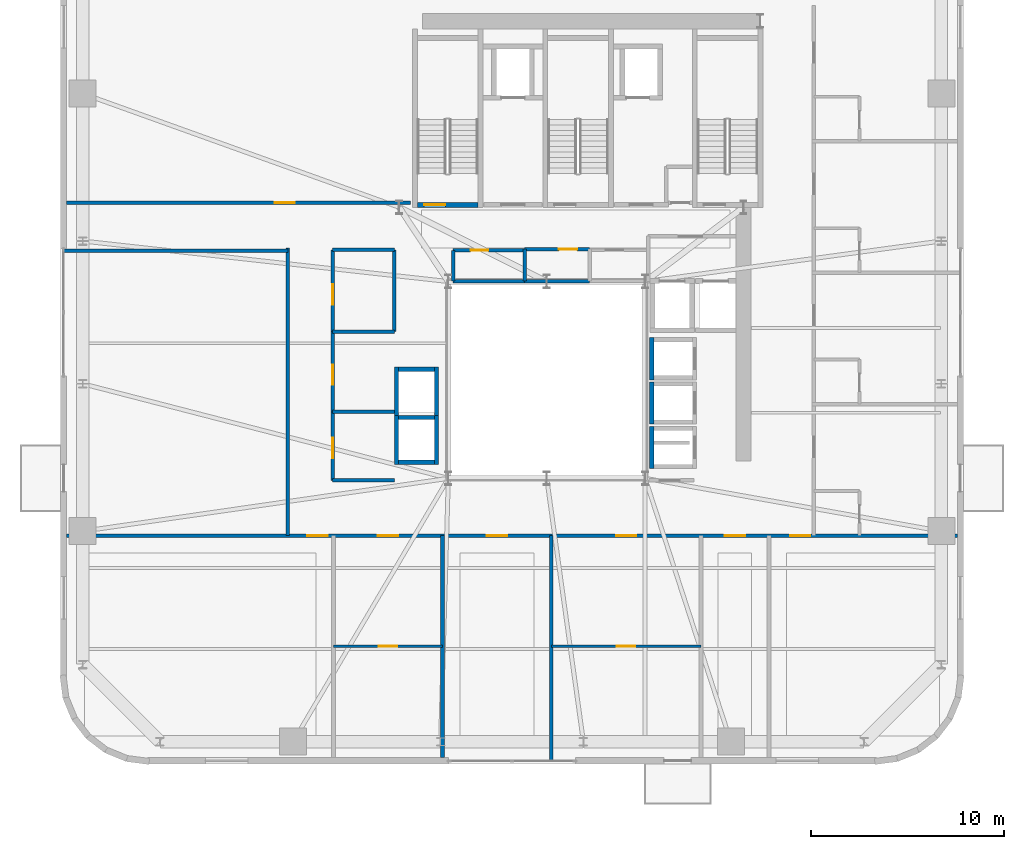
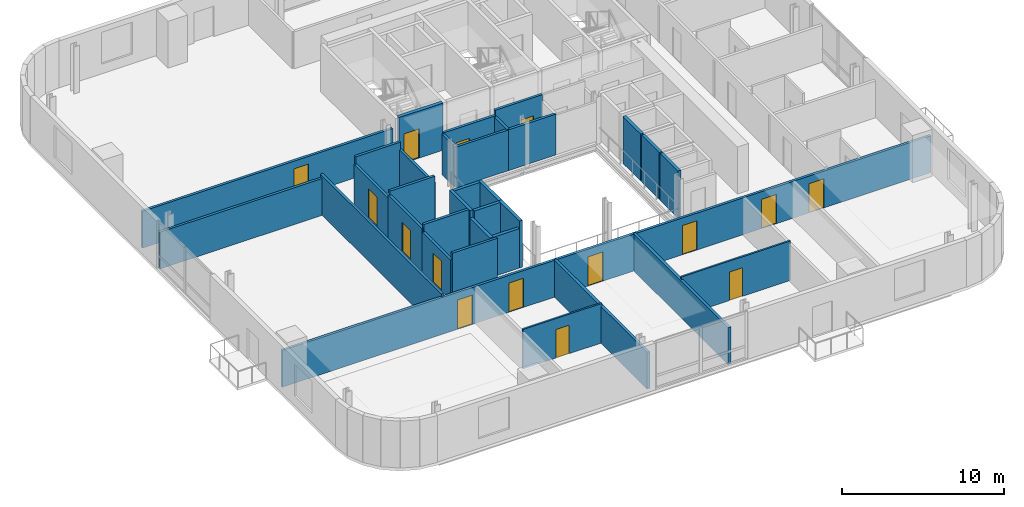
# One storey, part 8 of 15: 33 walls, 15 doors, 15 openings.
"""IFC4 building model written with IfcOpenShell, lengths in metres."""

from ifc_helpers import new_model, si_unit, direction, frame, frame_2d, origin, place, context, subcontext, project, spatial, rectangle, extrude, source, transform, mapped, material, layer, layer_set, type_object, element, fill, save


model = new_model("IFC4")

# Units and contexts
model_context = context("Model", 3, precision=1e-05, world=origin(), true_north=direction((0.0, 1.0)))
body_context = subcontext(model_context, "Body", "Model", "MODEL_VIEW")
ifc_project = project(units=[si_unit("LENGTHUNIT", "METRE"), si_unit("AREAUNIT", "SQUARE_METRE"), si_unit("VOLUMEUNIT", "CUBIC_METRE"), si_unit("PLANEANGLEUNIT", "RADIAN"), si_unit("MASSUNIT", "GRAM", prefix="KILO")], contexts=[model_context])

# Site, building, storey
site_placement = place(None, origin())
site = spatial("IfcSite", under=ifc_project, at=site_placement, CompositionType="ELEMENT")
building_placement = place(site_placement, origin())
building = spatial("IfcBuilding", under=site, at=building_placement, Name="Vardaveli Station Tower", CompositionType="ELEMENT")
storey_placement = place(building_placement, frame((0.0, 0.0, 229.800048828125)))
storey = spatial("IfcBuildingStorey", under=building, at=storey_placement, Name="L59", CompositionType="ELEMENT", Elevation=229.800048828125)

# Wall, opening, door
ifc_material_1 = material(Name="Concrete C40/50", Category="concrete")
ifc_layer_1 = layer(ifc_material_1, 0.25, Name="Concrete C40/50")
ifc_layer_set_1 = layer_set([ifc_layer_1], Name="Concrete C40/50")
wall_type_1 = type_object("IfcWallType", Name="WAL-SHAFT-250", PredefinedType="SOLIDWALL", material=ifc_layer_set_1)
shared_shape_1 = source(origin(), body_context, "Body", "SweptSolid", [
    extrude(rectangle(XDim=3.14990234375, YDim=0.25, at=frame_2d((1.574951171875, 0.0))), origin(), (0.0, 0.0, 1.0), 3.550048828125),
])
wall_1_placement = place(storey_placement, frame((29.60009765625, 30.77490234375, 0.0), z_axis=(0.0, 0.0, 1.0), x_axis=(1.0, 0.0, 0.0)))
wall_1 = element("IfcWall", 1, at=wall_1_placement, inside=storey, type_object=wall_type_1, Name="W-L59-ST-1S", PredefinedType="SOLIDWALL", context=body_context, shape_type="MappedRepresentation", body=[
    mapped(shared_shape_1, transform((0.0, 0.0, 0.0), scale=1.0)),
])
shared_shape_2 = source(origin(), body_context, "Body", "SweptSolid", [
    extrude(rectangle(XDim=1.10009765625, YDim=2.199951171875, at=frame_2d((0.550048828125, 1.10009765625))), frame((0.0, 0.135009765625, 0.0), z_axis=(0.0, -1.0, 0.0), x_axis=(1.0, 0.0, 0.0)), (0.0, 0.0, 1.0), 0.27001953125),
])
opening_1_placement = place(wall_1_placement, frame((0.35009765625, 0.0, 0.0)))
opening_1 = element("IfcOpeningElement", 2, at=opening_1_placement, cuts=wall_1, Name="Opening D-04", PredefinedType="OPENING", context=body_context, shape_type="MappedRepresentation", body=[
    mapped(shared_shape_2, transform((0.0, 0.0, 0.0), scale=1.0)),
])
ifc_material_2 = material(Name="Steel smokeproof fire doorset", Category="steel")
door_type_1 = type_object("IfcDoorType", Name="DR-ST-1100x2200", OperationType="NOTDEFINED", PredefinedType="DOOR", material=ifc_material_2)
shared_shape_3 = source(origin(), body_context, "Body", "SweptSolid", [
    extrude(rectangle(XDim=1.10009765625, YDim=2.199951171875, at=frame_2d((0.550048828125, 1.10009765625))), frame((0.0, 0.02490234375, 0.0), z_axis=(0.0, -1.0, 0.0), x_axis=(1.0, 0.0, 0.0)), (0.0, 0.0, 1.0), 0.050048828125),
])
door_1_placement = place(opening_1_placement, origin())
door_1 = element("IfcDoor", 3, at=door_1_placement, inside=storey, type_object=door_type_1, Name="DST-1-L59", OperationType="SINGLE_SWING_LEFT", OverallHeight=2.199951171875, OverallWidth=1.10009765625, PredefinedType="DOOR", context=body_context, shape_type="MappedRepresentation", body=[
    mapped(shared_shape_3, transform((0.0, 0.0, 0.0), scale=1.0)),
])
fill(opening_1, door_1)

# Walls
ifc_layer_2 = layer(ifc_material_1, 0.219970703125, Name="Concrete C40/50")
ifc_layer_set_2 = layer_set([ifc_layer_2], Name="Concrete C40/50")
wall_type_2 = type_object("IfcWallType", Name="WAL-FFLOBBY-220", PredefinedType="SOLIDWALL", material=ifc_layer_set_2)
shared_shape_4 = source(origin(), body_context, "Body", "SweptSolid", [
    extrude(rectangle(XDim=2.18994140625, YDim=0.219970703125, at=frame_2d((1.094970703125, 0.0))), origin(), (0.0, 0.0, 1.0), 3.530029296875),
])
for number, where, z_axis, x_axis, name in (
    (4, (41.739990234375, 21.705078125, 0.0), (0.0, 0.0, 1.0), (0.0, 1.0, 0.0), "SHW-HL3-01-L59-W"),
    (5, (41.739990234375, 19.405029296875, 0.0), (0.0, 0.0, 1.0), (0.0, 1.0, 0.0), "SHW-HL3-02-L59-W"),
    (6, (41.739990234375, 17.10498046875, 0.0), (0.0, 0.0, 1.0), (0.0, 1.0, 0.0), "SHW-HL3-03-L59-W"),
):
    element("IfcWall", number, at=place(storey_placement, frame(where, z_axis=z_axis, x_axis=x_axis)), inside=storey, type_object=wall_type_2, Name=name, PredefinedType="SOLIDWALL", context=body_context, shape_type="MappedRepresentation", body=[
        mapped(shared_shape_4, transform((0.0, 0.0, 0.0), scale=1.0)),
    ])
shared_shape_5 = source(origin(), body_context, "Body", "SweptSolid", [
    extrude(rectangle(XDim=1.85009765625, YDim=0.219970703125, at=frame_2d((0.925048828125, 0.0))), origin(), (0.0, 0.0, 1.0), 2.971923828125),
])
wall_2_placement = place(storey_placement, frame((28.625, 17.43994140625, 0.0), z_axis=(0.0, 0.0, 1.0), x_axis=(1.0, 0.0, 0.0)))
element("IfcWall", 7, at=wall_2_placement, inside=storey, type_object=wall_type_2, Name="SHW-OBS-01-L59-S", PredefinedType="SOLIDWALL", context=body_context, shape_type="MappedRepresentation", body=[
    mapped(shared_shape_5, transform((0.0, 0.0, 0.0), scale=1.0)),
])
shared_shape_6 = source(origin(), body_context, "Body", "SweptSolid", [
    extrude(rectangle(XDim=1.85009765625, YDim=0.219970703125, at=frame_2d((0.925048828125, 0.0))), origin(), (0.0, 0.0, 1.0), 3.530029296875),
])
for number, where, z_axis, x_axis, name in (
    (8, (28.625, 19.760009765625, 0.0), (0.0, 0.0, 1.0), (1.0, 0.0, 0.0), "SHW-OBS-01-L59-N"),
    (9, (28.625, 22.260009765625, 0.0), (0.0, 0.0, 1.0), (1.0, 0.0, 0.0), "SHW-OBS-02-L59-N"),
):
    element("IfcWall", number, at=place(storey_placement, frame(where, z_axis=z_axis, x_axis=x_axis)), inside=storey, type_object=wall_type_2, Name=name, PredefinedType="SOLIDWALL", context=body_context, shape_type="MappedRepresentation", body=[
        mapped(shared_shape_6, transform((0.0, 0.0, 0.0), scale=1.0)),
    ])
shared_shape_7 = source(origin(), body_context, "Body", "SweptSolid", [
    extrude(rectangle(XDim=2.5400390625, YDim=0.219970703125, at=frame_2d((1.27001953125, 0.0))), origin(), (0.0, 0.0, 1.0), 2.971923828125),
])
wall_3_placement = place(storey_placement, frame((28.514892578125, 17.330078125, 0.0), z_axis=(0.0, 0.0, 1.0), x_axis=(0.0, 1.0, 0.0)))
element("IfcWall", 10, at=wall_3_placement, inside=storey, type_object=wall_type_2, Name="SHW-OBS-01-L59-W", PredefinedType="SOLIDWALL", context=body_context, shape_type="MappedRepresentation", body=[
    mapped(shared_shape_7, transform((0.0, 0.0, 0.0), scale=1.0)),
])
shared_shape_8 = source(origin(), body_context, "Body", "SweptSolid", [
    extrude(rectangle(XDim=2.5400390625, YDim=0.219970703125, at=frame_2d((1.27001953125, 0.0))), origin(), (0.0, 0.0, 1.0), 3.530029296875),
])
for number, where, z_axis, x_axis, name in (
    (11, (30.5849609375, 17.330078125, 0.0), (0.0, 0.0, 1.0), (0.0, 1.0, 0.0), "SHW-OBS-01-L59-E"),
    (12, (28.514892578125, 19.830078125, 0.0), (0.0, 0.0, 1.0), (0.0, 1.0, 0.0), "SHW-OBS-02-L59-W"),
    (13, (30.5849609375, 19.830078125, 0.0), (0.0, 0.0, 1.0), (0.0, 1.0, 0.0), "SHW-OBS-02-L59-E"),
):
    element("IfcWall", number, at=place(storey_placement, frame(where, z_axis=z_axis, x_axis=x_axis)), inside=storey, type_object=wall_type_2, Name=name, PredefinedType="SOLIDWALL", context=body_context, shape_type="MappedRepresentation", body=[
        mapped(shared_shape_8, transform((0.0, 0.0, 0.0), scale=1.0)),
    ])

# Wall, openings, doors
ifc_material_3 = material(Name="Fire-rated gypsum stud partition")
ifc_layer_3 = layer(ifc_material_3, 0.179931640625, Name="Fire-rated gypsum stud partition")
ifc_layer_set_3 = layer_set([ifc_layer_3], Name="Fire-rated gypsum stud partition")
wall_type_3 = type_object("IfcWallType", Name="WAL-CORR-180", PredefinedType="PARTITIONING", material=ifc_layer_set_3)
shared_shape_9 = source(origin(), body_context, "Body", "SweptSolid", [
    extrude(rectangle(XDim=46.15576171875, YDim=0.179931640625, at=frame_2d((23.077880859375, 0.0))), origin(), (0.0, 0.0, 1.0), 2.77197265625),
])
wall_4_placement = place(storey_placement, frame((11.422119140625, 13.6298828125, 0.0), z_axis=(0.0, 0.0, 1.0), x_axis=(1.0, 0.0, 0.0)))
wall_4 = element("IfcWall", 14, at=wall_4_placement, inside=storey, type_object=wall_type_3, Name="W-L59-CS", PredefinedType="PARTITIONING", context=body_context, shape_type="MappedRepresentation", body=[
    mapped(shared_shape_9, transform((0.0, 0.0, 0.0), scale=1.0)),
])
shared_shape_10 = source(origin(), body_context, "Body", "SweptSolid", [
    extrude(rectangle(XDim=1.050048828125, YDim=2.199951171875, at=frame_2d((0.52490234375, 1.10009765625))), frame((0.0, 0.10009765625, 0.0), z_axis=(0.0, -1.0, 0.0), x_axis=(1.0, 0.0, 0.0)), (0.0, 0.0, 1.0), 0.199951171875),
])
opening_2_placement = place(wall_4_placement, frame((12.47802734375, 0.0, 0.0)))
opening_2 = element("IfcOpeningElement", 15, at=opening_2_placement, cuts=wall_4, Name="Opening D-05", PredefinedType="OPENING", context=body_context, shape_type="MappedRepresentation", body=[
    mapped(shared_shape_10, transform((0.0, 0.0, 0.0), scale=1.0)),
])
opening_3_placement = place(wall_4_placement, frame((16.12939453125, 0.0, 0.0)))
opening_3 = element("IfcOpeningElement", 16, at=opening_3_placement, cuts=wall_4, Name="Opening D-05", PredefinedType="OPENING", context=body_context, shape_type="MappedRepresentation", body=[
    mapped(shared_shape_10, transform((0.0, 0.0, 0.0), scale=1.0)),
])
opening_4_placement = place(wall_4_placement, frame((21.771728515625, 0.0, 0.0)))
opening_4 = element("IfcOpeningElement", 17, at=opening_4_placement, cuts=wall_4, Name="Opening D-05", PredefinedType="OPENING", context=body_context, shape_type="MappedRepresentation", body=[
    mapped(shared_shape_10, transform((0.0, 0.0, 0.0), scale=1.0)),
])
opening_5_placement = place(wall_4_placement, frame((28.47021484375, 0.0, 0.0)))
opening_5 = element("IfcOpeningElement", 18, at=opening_5_placement, cuts=wall_4, Name="Opening D-05", PredefinedType="OPENING", context=body_context, shape_type="MappedRepresentation", body=[
    mapped(shared_shape_10, transform((0.0, 0.0, 0.0), scale=1.0)),
])
opening_6_placement = place(wall_4_placement, frame((34.11279296875, 0.0, 0.0)))
opening_6 = element("IfcOpeningElement", 19, at=opening_6_placement, cuts=wall_4, Name="Opening D-05", PredefinedType="OPENING", context=body_context, shape_type="MappedRepresentation", body=[
    mapped(shared_shape_10, transform((0.0, 0.0, 0.0), scale=1.0)),
])
opening_7_placement = place(wall_4_placement, frame((37.498046875, 0.0, 0.0)))
opening_7 = element("IfcOpeningElement", 20, at=opening_7_placement, cuts=wall_4, Name="Opening D-05", PredefinedType="OPENING", context=body_context, shape_type="MappedRepresentation", body=[
    mapped(shared_shape_10, transform((0.0, 0.0, 0.0), scale=1.0)),
])
ifc_material_4 = material(Name="Walnut veneer acoustic fire door")
door_type_2 = type_object("IfcDoorType", Name="DR-SUITE-1050x2200", OperationType="NOTDEFINED", PredefinedType="DOOR", material=ifc_material_4)
shared_shape_11 = source(origin(), body_context, "Body", "SweptSolid", [
    extrude(rectangle(XDim=1.050048828125, YDim=2.199951171875, at=frame_2d((0.52490234375, 1.10009765625))), frame((0.0, 0.02490234375, 0.0), z_axis=(0.0, -1.0, 0.0), x_axis=(1.0, 0.0, 0.0)), (0.0, 0.0, 1.0), 0.050048828125),
])
door_2_placement = place(opening_2_placement, origin())
door_2 = element("IfcDoor", 21, at=door_2_placement, inside=storey, type_object=door_type_2, Name="D-L59-SA1", OperationType="SINGLE_SWING_RIGHT", OverallHeight=2.199951171875, OverallWidth=1.050048828125, PredefinedType="DOOR", context=body_context, shape_type="MappedRepresentation", body=[
    mapped(shared_shape_11, transform((0.0, 0.0, 0.0), scale=1.0)),
])
fill(opening_2, door_2)
door_3_placement = place(opening_3_placement, origin())
door_3 = element("IfcDoor", 22, at=door_3_placement, inside=storey, type_object=door_type_2, Name="D-L59-SCB2", OperationType="SINGLE_SWING_LEFT", OverallHeight=2.199951171875, OverallWidth=1.050048828125, PredefinedType="DOOR", context=body_context, shape_type="MappedRepresentation", body=[
    mapped(shared_shape_11, transform((0.0, 0.0, 0.0), scale=1.0)),
])
fill(opening_3, door_3)
door_4_placement = place(opening_4_placement, origin())
door_4 = element("IfcDoor", 23, at=door_4_placement, inside=storey, type_object=door_type_2, Name="D-L59-SA3", OperationType="SINGLE_SWING_RIGHT", OverallHeight=2.199951171875, OverallWidth=1.050048828125, PredefinedType="DOOR", context=body_context, shape_type="MappedRepresentation", body=[
    mapped(shared_shape_11, transform((0.0, 0.0, 0.0), scale=1.0)),
])
fill(opening_4, door_4)
door_5_placement = place(opening_5_placement, origin())
door_5 = element("IfcDoor", 24, at=door_5_placement, inside=storey, type_object=door_type_2, Name="D-L59-SCB4", OperationType="SINGLE_SWING_LEFT", OverallHeight=2.199951171875, OverallWidth=1.050048828125, PredefinedType="DOOR", context=body_context, shape_type="MappedRepresentation", body=[
    mapped(shared_shape_11, transform((0.0, 0.0, 0.0), scale=1.0)),
])
fill(opening_5, door_5)
door_6_placement = place(opening_6_placement, origin())
door_6 = element("IfcDoor", 25, at=door_6_placement, inside=storey, type_object=door_type_2, Name="D-L59-SA5", OperationType="SINGLE_SWING_RIGHT", OverallHeight=2.199951171875, OverallWidth=1.050048828125, PredefinedType="DOOR", context=body_context, shape_type="MappedRepresentation", body=[
    mapped(shared_shape_11, transform((0.0, 0.0, 0.0), scale=1.0)),
])
fill(opening_6, door_6)
door_7_placement = place(opening_7_placement, origin())
door_7 = element("IfcDoor", 26, at=door_7_placement, inside=storey, type_object=door_type_2, Name="D-L59-SA6", OperationType="SINGLE_SWING_LEFT", OverallHeight=2.199951171875, OverallWidth=1.050048828125, PredefinedType="DOOR", context=body_context, shape_type="MappedRepresentation", body=[
    mapped(shared_shape_11, transform((0.0, 0.0, 0.0), scale=1.0)),
])
fill(opening_7, door_7)

# Wall, opening, door
shared_shape_12 = source(origin(), body_context, "Body", "SweptSolid", [
    extrude(rectangle(XDim=17.827880859375, YDim=0.179931640625, at=frame_2d((8.9140625, 0.0))), origin(), (0.0, 0.0, 1.0), 2.77197265625),
])
wall_5_placement = place(storey_placement, frame((11.422119140625, 30.8798828125, 0.0), z_axis=(0.0, 0.0, 1.0), x_axis=(1.0, 0.0, 0.0)))
wall_5 = element("IfcWall", 27, at=wall_5_placement, inside=storey, type_object=wall_type_3, Name="W-L59-CNWS", PredefinedType="PARTITIONING", context=body_context, shape_type="MappedRepresentation", body=[
    mapped(shared_shape_12, transform((0.0, 0.0, 0.0), scale=1.0)),
])
opening_8_placement = place(wall_5_placement, frame((10.778076171875, 0.0, 0.0)))
opening_8 = element("IfcOpeningElement", 28, at=opening_8_placement, cuts=wall_5, Name="Opening D-05", PredefinedType="OPENING", context=body_context, shape_type="MappedRepresentation", body=[
    mapped(shared_shape_10, transform((0.0, 0.0, 0.0), scale=1.0)),
])
door_8_placement = place(opening_8_placement, origin())
door_8 = element("IfcDoor", 29, at=door_8_placement, inside=storey, type_object=door_type_2, Name="D-L59-GNW1", OperationType="SINGLE_SWING_LEFT", OverallHeight=2.199951171875, OverallWidth=1.050048828125, PredefinedType="DOOR", context=body_context, shape_type="MappedRepresentation", body=[
    mapped(shared_shape_11, transform((0.0, 0.0, 0.0), scale=1.0)),
])
fill(opening_8, door_8)

shared_shape_13 = source(origin(), body_context, "Body", "SweptSolid", [
    extrude(rectangle(XDim=4.239990234375, YDim=0.179931640625, at=frame_2d((2.1201171875, 0.0))), origin(), (0.0, 0.0, 1.0), 2.971923828125),
])
wall_6_placement = place(storey_placement, frame((25.199951171875, 24.199951171875, 0.0), z_axis=(0.0, 0.0, 1.0), x_axis=(0.0, 1.0, 0.0)))
wall_6 = element("IfcWall", 30, at=wall_6_placement, inside=storey, type_object=wall_type_3, Name="W-L59-ATWC-W", PredefinedType="PARTITIONING", context=body_context, shape_type="MappedRepresentation", body=[
    mapped(shared_shape_13, transform((0.0, 0.0, 0.0), scale=1.0)),
])
opening_9_placement = place(wall_6_placement, frame((1.39990234375, 0.0, 0.0)))
opening_9 = element("IfcOpeningElement", 31, at=opening_9_placement, cuts=wall_6, Name="Opening D-05", PredefinedType="OPENING", context=body_context, shape_type="MappedRepresentation", body=[
    mapped(shared_shape_10, transform((0.0, 0.0, 0.0), scale=1.0)),
])
door_9_placement = place(opening_9_placement, origin())
door_9 = element("IfcDoor", 32, at=door_9_placement, inside=storey, type_object=door_type_2, Name="D-L59-ATW3", OperationType="SINGLE_SWING_LEFT", OverallHeight=2.199951171875, OverallWidth=1.050048828125, PredefinedType="DOOR", context=body_context, shape_type="MappedRepresentation", body=[
    mapped(shared_shape_11, transform((0.0, 0.0, 0.0), scale=1.0)),
])
fill(opening_9, door_9)

# Wall
wall_7_placement = place(storey_placement, frame((28.39990234375, 24.199951171875, 0.0), z_axis=(0.0, 0.0, 1.0), x_axis=(0.0, 1.0, 0.0)))
element("IfcWall", 33, at=wall_7_placement, inside=storey, type_object=wall_type_3, Name="W-L59-ATWC-E", PredefinedType="PARTITIONING", context=body_context, shape_type="MappedRepresentation", body=[
    mapped(shared_shape_13, transform((0.0, 0.0, 0.0), scale=1.0)),
])

# Wall, opening, door
shared_shape_14 = source(origin(), body_context, "Body", "SweptSolid", [
    extrude(rectangle(XDim=3.699951171875, YDim=0.179931640625, at=frame_2d((1.85009765625, 0.0))), origin(), (0.0, 0.0, 1.0), 3.161865234375),
])
wall_8_placement = place(storey_placement, frame((31.449951171875, 28.419921875, 0.0), z_axis=(0.0, 0.0, 1.0), x_axis=(1.0, 0.0, 0.0)))
wall_8 = element("IfcWall", 34, at=wall_8_placement, inside=storey, type_object=wall_type_3, Name="W-L59-CS2A-N", PredefinedType="PARTITIONING", context=body_context, shape_type="MappedRepresentation", body=[
    mapped(shared_shape_14, transform((0.0, 0.0, 0.0), scale=1.0)),
])
shared_shape_15 = source(origin(), body_context, "Body", "SweptSolid", [
    extrude(rectangle(XDim=0.919921875, YDim=2.10009765625, at=frame_2d((0.4599609375, 1.050048828125))), frame((0.0, 0.10009765625, 0.0), z_axis=(0.0, -1.0, 0.0), x_axis=(1.0, 0.0, 0.0)), (0.0, 0.0, 1.0), 0.199951171875),
])
opening_10_placement = place(wall_8_placement, frame((0.89990234375, 0.0, 0.0)))
opening_10 = element("IfcOpeningElement", 35, at=opening_10_placement, cuts=wall_8, Name="Opening D-07", PredefinedType="OPENING", context=body_context, shape_type="MappedRepresentation", body=[
    mapped(shared_shape_15, transform((0.0, 0.0, 0.0), scale=1.0)),
])
ifc_material_5 = material(Name="Moisture-resistant hardwood door", Category="wood")
door_type_3 = type_object("IfcDoorType", Name="DR-WC-920x2100", OperationType="NOTDEFINED", PredefinedType="DOOR", material=ifc_material_5)
shared_shape_16 = source(origin(), body_context, "Body", "SweptSolid", [
    extrude(rectangle(XDim=0.919921875, YDim=2.10009765625, at=frame_2d((0.4599609375, 1.050048828125))), frame((0.0, 0.02490234375, 0.0), z_axis=(0.0, -1.0, 0.0), x_axis=(1.0, 0.0, 0.0)), (0.0, 0.0, 1.0), 0.050048828125),
])
door_10_placement = place(opening_10_placement, origin())
door_10 = element("IfcDoor", 36, at=door_10_placement, inside=storey, type_object=door_type_3, Name="D-L59-CS2A", OperationType="SINGLE_SWING_LEFT", OverallHeight=2.10009765625, OverallWidth=0.919921875, PredefinedType="DOOR", context=body_context, shape_type="MappedRepresentation", body=[
    mapped(shared_shape_16, transform((0.0, 0.0, 0.0), scale=1.0)),
])
fill(opening_10, door_10)

shared_shape_17 = source(origin(), body_context, "Body", "SweptSolid", [
    extrude(rectangle(XDim=3.550048828125, YDim=0.179931640625, at=frame_2d((1.77490234375, 0.0))), origin(), (0.0, 0.0, 1.0), 2.971923828125),
])
wall_9_placement = place(storey_placement, frame((25.199951171875, 16.5, 0.0), z_axis=(0.0, 0.0, 1.0), x_axis=(0.0, 1.0, 0.0)))
wall_9 = element("IfcWall", 37, at=wall_9_placement, inside=storey, type_object=wall_type_3, Name="W-L59-ATWA-W", PredefinedType="PARTITIONING", context=body_context, shape_type="MappedRepresentation", body=[
    mapped(shared_shape_17, transform((0.0, 0.0, 0.0), scale=1.0)),
])
opening_11_placement = place(wall_9_placement, frame((1.14990234375, 0.0, 0.0)))
opening_11 = element("IfcOpeningElement", 38, at=opening_11_placement, cuts=wall_9, Name="Opening D-05", PredefinedType="OPENING", context=body_context, shape_type="MappedRepresentation", body=[
    mapped(shared_shape_10, transform((0.0, 0.0, 0.0), scale=1.0)),
])
door_11_placement = place(opening_11_placement, origin())
door_11 = element("IfcDoor", 39, at=door_11_placement, inside=storey, type_object=door_type_2, Name="D-L59-ATW1", OperationType="SINGLE_SWING_RIGHT", OverallHeight=2.199951171875, OverallWidth=1.050048828125, PredefinedType="DOOR", context=body_context, shape_type="MappedRepresentation", body=[
    mapped(shared_shape_11, transform((0.0, 0.0, 0.0), scale=1.0)),
])
fill(opening_11, door_11)

shared_shape_18 = source(origin(), body_context, "Body", "SweptSolid", [
    extrude(rectangle(XDim=3.3701171875, YDim=0.179931640625, at=frame_2d((1.68505859375, 0.0))), origin(), (0.0, 0.0, 1.0), 3.530029296875),
])
wall_10_placement = place(storey_placement, frame((35.14990234375, 28.47998046875, 0.0), z_axis=(0.0, 0.0, 1.0), x_axis=(1.0, 0.0, 0.0)))
wall_10 = element("IfcWall", 40, at=wall_10_placement, inside=storey, type_object=wall_type_3, Name="W-L59-HKP2-N", PredefinedType="PARTITIONING", context=body_context, shape_type="MappedRepresentation", body=[
    mapped(shared_shape_18, transform((0.0, 0.0, 0.0), scale=1.0)),
])
shared_shape_19 = source(origin(), body_context, "Body", "SweptSolid", [
    extrude(rectangle(XDim=0.949951171875, YDim=2.14990234375, at=frame_2d((0.47509765625, 1.074951171875))), frame((0.0, 0.10009765625, 0.0), z_axis=(0.0, -1.0, 0.0), x_axis=(1.0, 0.0, 0.0)), (0.0, 0.0, 1.0), 0.199951171875),
])
opening_12_placement = place(wall_10_placement, frame((1.77490234375, 0.0, 0.0)))
opening_12 = element("IfcOpeningElement", 41, at=opening_12_placement, cuts=wall_10, Name="Opening D-06", PredefinedType="OPENING", context=body_context, shape_type="MappedRepresentation", body=[
    mapped(shared_shape_19, transform((0.0, 0.0, 0.0), scale=1.0)),
])
ifc_material_6 = material(Name="Oak veneer acoustic fire door")
door_type_4 = type_object("IfcDoorType", Name="DR-GUEST-950x2150", OperationType="NOTDEFINED", PredefinedType="DOOR", material=ifc_material_6)
shared_shape_20 = source(origin(), body_context, "Body", "SweptSolid", [
    extrude(rectangle(XDim=0.949951171875, YDim=2.14990234375, at=frame_2d((0.47509765625, 1.074951171875))), frame((0.0, 0.02490234375, 0.0), z_axis=(0.0, -1.0, 0.0), x_axis=(1.0, 0.0, 0.0)), (0.0, 0.0, 1.0), 0.050048828125),
])
door_12_placement = place(opening_12_placement, origin())
door_12 = element("IfcDoor", 42, at=door_12_placement, inside=storey, type_object=door_type_4, Name="D-L59-HKP", OperationType="SINGLE_SWING_LEFT", OverallHeight=2.14990234375, OverallWidth=0.949951171875, PredefinedType="DOOR", context=body_context, shape_type="MappedRepresentation", body=[
    mapped(shared_shape_20, transform((0.0, 0.0, 0.0), scale=1.0)),
])
fill(opening_12, door_12)

# Walls
shared_shape_21 = source(origin(), body_context, "Body", "SweptSolid", [
    extrude(rectangle(XDim=3.699951171875, YDim=0.179931640625, at=frame_2d((1.85009765625, 0.0))), origin(), (0.0, 0.0, 1.0), 3.072021484375),
])
wall_11_placement = place(storey_placement, frame((31.449951171875, 26.820068359375, 0.0), z_axis=(0.0, 0.0, 1.0), x_axis=(1.0, 0.0, 0.0)))
element("IfcWall", 43, at=wall_11_placement, inside=storey, type_object=wall_type_3, Name="W-L59-CS2A-S", PredefinedType="PARTITIONING", context=body_context, shape_type="MappedRepresentation", body=[
    mapped(shared_shape_21, transform((0.0, 0.0, 0.0), scale=1.0)),
])
shared_shape_22 = source(origin(), body_context, "Body", "SweptSolid", [
    extrude(rectangle(XDim=3.3701171875, YDim=0.179931640625, at=frame_2d((1.68505859375, 0.0))), origin(), (0.0, 0.0, 1.0), 3.072021484375),
])
wall_12_placement = place(storey_placement, frame((35.14990234375, 26.820068359375, 0.0), z_axis=(0.0, 0.0, 1.0), x_axis=(1.0, 0.0, 0.0)))
element("IfcWall", 44, at=wall_12_placement, inside=storey, type_object=wall_type_3, Name="W-L59-HKP2-S", PredefinedType="PARTITIONING", context=body_context, shape_type="MappedRepresentation", body=[
    mapped(shared_shape_22, transform((0.0, 0.0, 0.0), scale=1.0)),
])
shared_shape_23 = source(origin(), body_context, "Body", "SweptSolid", [
    extrude(rectangle(XDim=1.659912109375, YDim=0.179931640625, at=frame_2d((0.830078125, 0.0))), origin(), (0.0, 0.0, 1.0), 3.072021484375),
])
wall_13_placement = place(storey_placement, frame((35.14990234375, 26.820068359375, 0.0), z_axis=(0.0, 0.0, 1.0), x_axis=(0.0, 1.0, 0.0)))
element("IfcWall", 45, at=wall_13_placement, inside=storey, type_object=wall_type_3, Name="W-L59-HKP2-W", PredefinedType="PARTITIONING", context=body_context, shape_type="MappedRepresentation", body=[
    mapped(shared_shape_23, transform((0.0, 0.0, 0.0), scale=1.0)),
])
shared_shape_24 = source(origin(), body_context, "Body", "SweptSolid", [
    extrude(rectangle(XDim=1.599853515625, YDim=0.179931640625, at=frame_2d((0.7998046875, 0.0))), origin(), (0.0, 0.0, 1.0), 3.072021484375),
])
wall_14_placement = place(storey_placement, frame((31.449951171875, 26.820068359375, 0.0), z_axis=(0.0, 0.0, 1.0), x_axis=(0.0, 1.0, 0.0)))
element("IfcWall", 46, at=wall_14_placement, inside=storey, type_object=wall_type_3, Name="W-L59-CS2A-W", PredefinedType="PARTITIONING", context=body_context, shape_type="MappedRepresentation", body=[
    mapped(shared_shape_24, transform((0.0, 0.0, 0.0), scale=1.0)),
])
shared_shape_25 = source(origin(), body_context, "Body", "SweptSolid", [
    extrude(rectangle(XDim=14.920166015625, YDim=0.179931640625, at=frame_2d((7.4599609375, 0.0))), origin(), (0.0, 0.0, 1.0), 2.971923828125),
])
wall_15_placement = place(storey_placement, frame((22.8798828125, 13.6298828125, 0.0), z_axis=(0.0, 0.0, 1.0), x_axis=(0.0, 1.0, 0.0)))
element("IfcWall", 47, at=wall_15_placement, inside=storey, type_object=wall_type_3, Name="W-L59-CW", PredefinedType="PARTITIONING", context=body_context, shape_type="MappedRepresentation", body=[
    mapped(shared_shape_25, transform((0.0, 0.0, 0.0), scale=1.0)),
])
ifc_material_7 = material(Name="Acoustic twin-stud gypsum partition")
ifc_layer_4 = layer(ifc_material_7, 0.199951171875, Name="Acoustic twin-stud gypsum partition")
ifc_layer_set_4 = layer_set([ifc_layer_4], Name="Acoustic twin-stud gypsum partition")
wall_type_4 = type_object("IfcWallType", Name="WAL-PARTY-200", PredefinedType="PARTITIONING", material=ifc_layer_set_4)
shared_shape_26 = source(origin(), body_context, "Body", "SweptSolid", [
    extrude(rectangle(XDim=11.5078125, YDim=0.199951171875, at=frame_2d((5.75390625, 0.0))), origin(), (0.0, 0.0, 1.0), 2.77197265625),
])
wall_16_placement = place(storey_placement, frame((30.89208984375, 2.1220703125, 0.0), z_axis=(0.0, 0.0, 1.0), x_axis=(0.0, 1.0, 0.0)))
element("IfcWall", 48, at=wall_16_placement, inside=storey, type_object=wall_type_4, Name="W-L59-PS2", PredefinedType="PARTITIONING", context=body_context, shape_type="MappedRepresentation", body=[
    mapped(shared_shape_26, transform((0.0, 0.0, 0.0), scale=1.0)),
])
shared_shape_27 = source(origin(), body_context, "Body", "SweptSolid", [
    extrude(rectangle(XDim=11.699951171875, YDim=0.199951171875, at=frame_2d((5.85009765625, 0.0))), origin(), (0.0, 0.0, 1.0), 2.77197265625),
])
wall_17_placement = place(storey_placement, frame((36.534912109375, 1.929931640625, 0.0), z_axis=(0.0, 0.0, 1.0), x_axis=(0.0, 1.0, 0.0)))
element("IfcWall", 49, at=wall_17_placement, inside=storey, type_object=wall_type_4, Name="W-L59-PS3", PredefinedType="PARTITIONING", context=body_context, shape_type="MappedRepresentation", body=[
    mapped(shared_shape_27, transform((0.0, 0.0, 0.0), scale=1.0)),
])

# Wall, opening, door
shared_shape_28 = source(origin(), body_context, "Body", "SweptSolid", [
    extrude(rectangle(XDim=4.14990234375, YDim=0.179931640625, at=frame_2d((2.074951171875, 0.0))), origin(), (0.0, 0.0, 1.0), 3.221923828125),
])
wall_18_placement = place(storey_placement, frame((25.199951171875, 20.050048828125, 0.0), z_axis=(0.0, 0.0, 1.0), x_axis=(0.0, 1.0, 0.0)))
wall_18 = element("IfcWall", 50, at=wall_18_placement, inside=storey, type_object=wall_type_3, Name="W-L59-ATWB-W", PredefinedType="PARTITIONING", context=body_context, shape_type="MappedRepresentation", body=[
    mapped(shared_shape_28, transform((0.0, 0.0, 0.0), scale=1.0)),
])
opening_13_placement = place(wall_18_placement, frame((1.39990234375, 0.0, 0.0)))
opening_13 = element("IfcOpeningElement", 51, at=opening_13_placement, cuts=wall_18, Name="Opening D-05", PredefinedType="OPENING", context=body_context, shape_type="MappedRepresentation", body=[
    mapped(shared_shape_10, transform((0.0, 0.0, 0.0), scale=1.0)),
])
door_13_placement = place(opening_13_placement, origin())
door_13 = element("IfcDoor", 52, at=door_13_placement, inside=storey, type_object=door_type_2, Name="D-L59-ATW2", OperationType="SINGLE_SWING_RIGHT", OverallHeight=2.199951171875, OverallWidth=1.050048828125, PredefinedType="DOOR", context=body_context, shape_type="MappedRepresentation", body=[
    mapped(shared_shape_11, transform((0.0, 0.0, 0.0), scale=1.0)),
])
fill(opening_13, door_13)

# Walls
shared_shape_29 = source(origin(), body_context, "Body", "SweptSolid", [
    extrude(rectangle(XDim=11.64990234375, YDim=0.179931640625, at=frame_2d((5.824951171875, 0.0))), origin(), (0.0, 0.0, 1.0), 2.77197265625),
])
wall_19_placement = place(storey_placement, frame((11.22998046875, 28.39990234375, 0.0), z_axis=(0.0, 0.0, 1.0), x_axis=(1.0, 0.0, 0.0)))
element("IfcWall", 53, at=wall_19_placement, inside=storey, type_object=wall_type_3, Name="W-L59-CWN", PredefinedType="PARTITIONING", context=body_context, shape_type="MappedRepresentation", body=[
    mapped(shared_shape_29, transform((0.0, 0.0, 0.0), scale=1.0)),
])
shared_shape_30 = source(origin(), body_context, "Body", "SweptSolid", [
    extrude(rectangle(XDim=3.199951171875, YDim=0.179931640625, at=frame_2d((1.60009765625, 0.0))), origin(), (0.0, 0.0, 1.0), 3.530029296875),
])
for number, where, z_axis, x_axis, name in (
    (54, (25.199951171875, 16.5, 0.0), (0.0, 0.0, 1.0), (1.0, 0.0, 0.0), "W-L59-ATWA-S"),
    (55, (25.199951171875, 20.050048828125, 0.0), (0.0, 0.0, 1.0), (1.0, 0.0, 0.0), "W-L59-ATWA-N"),
    (56, (25.199951171875, 24.199951171875, 0.0), (0.0, 0.0, 1.0), (1.0, 0.0, 0.0), "W-L59-ATWB-N"),
    (57, (25.199951171875, 28.43994140625, 0.0), (0.0, 0.0, 1.0), (1.0, 0.0, 0.0), "W-L59-ATWC-N"),
):
    element("IfcWall", number, at=place(storey_placement, frame(where, z_axis=z_axis, x_axis=x_axis)), inside=storey, type_object=wall_type_3, Name=name, PredefinedType="PARTITIONING", context=body_context, shape_type="MappedRepresentation", body=[
        mapped(shared_shape_30, transform((0.0, 0.0, 0.0), scale=1.0)),
    ])

# Wall, opening, door
ifc_material_8 = material(Name="Gypsum board stud partition")
ifc_layer_5 = layer(ifc_material_8, 0.125, Name="Gypsum board stud partition")
ifc_layer_set_5 = layer_set([ifc_layer_5], Name="Gypsum board stud partition")
wall_type_5 = type_object("IfcWallType", Name="WAL-INT-125", PredefinedType="PARTITIONING", material=ifc_layer_set_5)
shared_shape_31 = source(origin(), body_context, "Body", "SweptSolid", [
    extrude(rectangle(XDim=7.755126953125, YDim=0.125, at=frame_2d((3.87744140625, 0.0))), origin(), (0.0, 0.0, 1.0), 2.971923828125),
])
wall_20_placement = place(storey_placement, frame((36.534912109375, 7.889892578125, 0.0), z_axis=(0.0, 0.0, 1.0), x_axis=(1.0, 0.0, 0.0)))
wall_20 = element("IfcWall", 58, at=wall_20_placement, inside=storey, type_object=wall_type_5, Name="W-L59-SCM4", PredefinedType="PARTITIONING", context=body_context, shape_type="MappedRepresentation", body=[
    mapped(shared_shape_31, transform((0.0, 0.0, 0.0), scale=1.0)),
])
shared_shape_32 = source(origin(), body_context, "Body", "SweptSolid", [
    extrude(rectangle(XDim=0.949951171875, YDim=2.14990234375, at=frame_2d((0.47509765625, 1.074951171875))), frame((0.0, 0.072509765625, 0.0), z_axis=(0.0, -1.0, 0.0), x_axis=(1.0, 0.0, 0.0)), (0.0, 0.0, 1.0), 0.14501953125),
])
opening_14_placement = place(wall_20_placement, frame((3.397216796875, 0.0, 0.0)))
opening_14 = element("IfcOpeningElement", 59, at=opening_14_placement, cuts=wall_20, Name="Opening D-11", PredefinedType="OPENING", context=body_context, shape_type="MappedRepresentation", body=[
    mapped(shared_shape_32, transform((0.0, 0.0, 0.0), scale=1.0)),
])
ifc_material_9 = material(Name="Oak veneer internal suite door")
door_type_5 = type_object("IfcDoorType", Name="DR-INT-950x2150", OperationType="NOTDEFINED", PredefinedType="DOOR", material=ifc_material_9)
door_14_placement = place(opening_14_placement, origin())
door_14 = element("IfcDoor", 60, at=door_14_placement, inside=storey, type_object=door_type_5, Name="D-L59-SCF4", OperationType="SINGLE_SWING_RIGHT", OverallHeight=2.14990234375, OverallWidth=0.949951171875, PredefinedType="DOOR", context=body_context, shape_type="MappedRepresentation", body=[
    mapped(shared_shape_20, transform((0.0, 0.0, 0.0), scale=1.0)),
])
fill(opening_14, door_14)

shared_shape_33 = source(origin(), body_context, "Body", "SweptSolid", [
    extrude(rectangle(XDim=5.64208984375, YDim=0.125, at=frame_2d((2.821044921875, 0.0))), origin(), (0.0, 0.0, 1.0), 2.971923828125),
])
wall_21_placement = place(storey_placement, frame((25.25, 7.889892578125, 0.0), z_axis=(0.0, 0.0, 1.0), x_axis=(1.0, 0.0, 0.0)))
wall_21 = element("IfcWall", 61, at=wall_21_placement, inside=storey, type_object=wall_type_5, Name="W-L59-SCM2", PredefinedType="PARTITIONING", context=body_context, shape_type="MappedRepresentation", body=[
    mapped(shared_shape_33, transform((0.0, 0.0, 0.0), scale=1.0)),
])
opening_15_placement = place(wall_21_placement, frame((2.34130859375, 0.0, 0.0)))
opening_15 = element("IfcOpeningElement", 62, at=opening_15_placement, cuts=wall_21, Name="Opening D-11", PredefinedType="OPENING", context=body_context, shape_type="MappedRepresentation", body=[
    mapped(shared_shape_32, transform((0.0, 0.0, 0.0), scale=1.0)),
])
door_15_placement = place(opening_15_placement, origin())
door_15 = element("IfcDoor", 63, at=door_15_placement, inside=storey, type_object=door_type_5, Name="D-L59-SCF2", OperationType="SINGLE_SWING_LEFT", OverallHeight=2.14990234375, OverallWidth=0.949951171875, PredefinedType="DOOR", context=body_context, shape_type="MappedRepresentation", body=[
    mapped(shared_shape_20, transform((0.0, 0.0, 0.0), scale=1.0)),
])
fill(opening_15, door_15)

save(model, "model.ifc")
